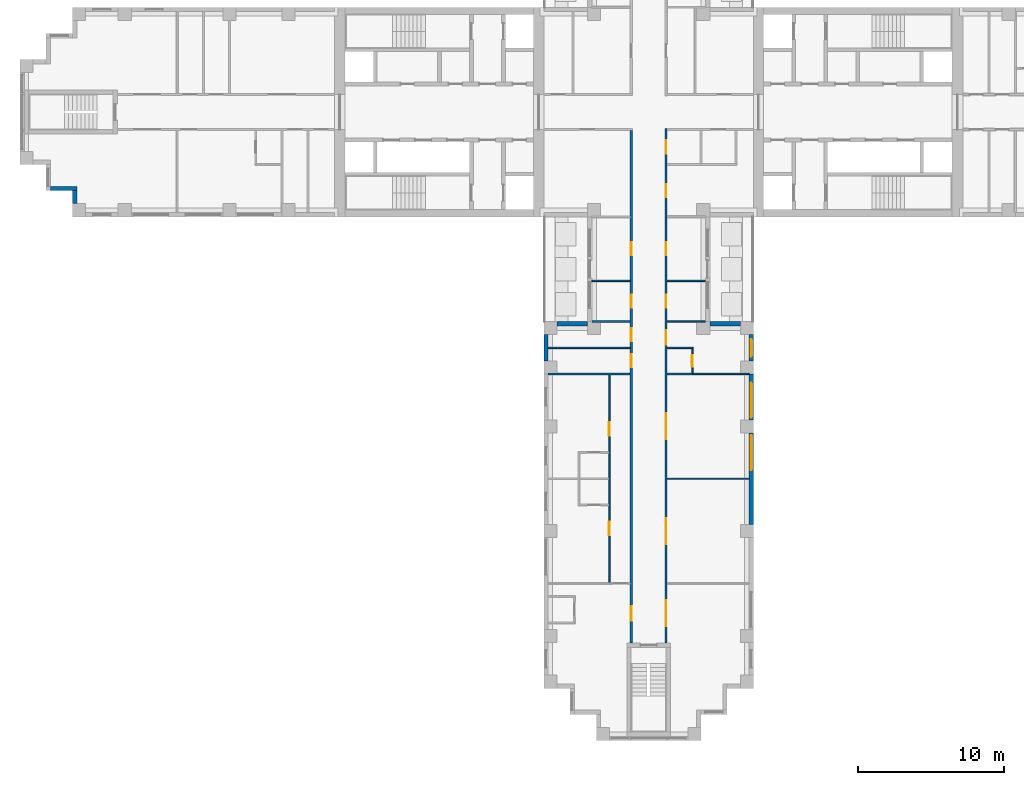
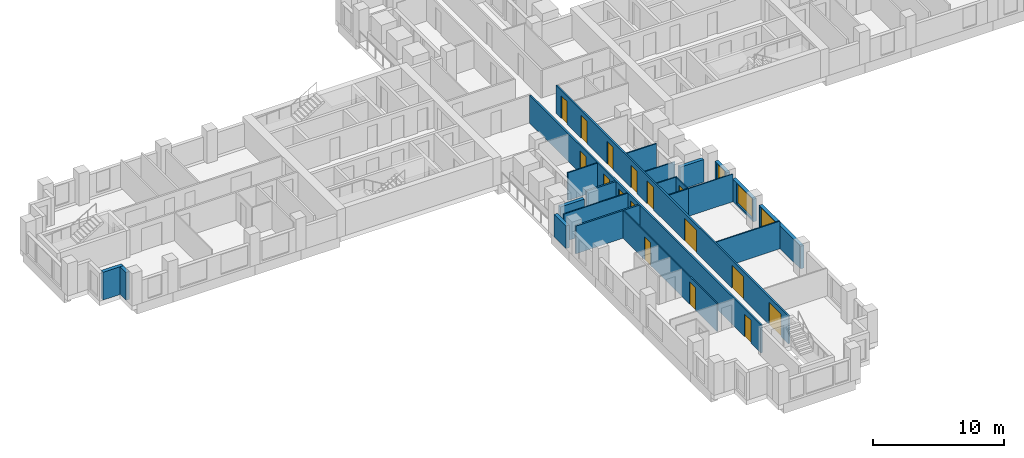
# One storey, part 4 of 13: 22 walls, 16 doors, 3 windows, 19 openings.
"""IFC4 building model written with IfcOpenShell, lengths in metres."""

from ifc_helpers import new_model, si_unit, direction, frame, frame_2d, origin, place, context, subcontext, project, spatial, rectangle, extrude, material, layer, layer_set, type_object, element, fill, save


model = new_model("IFC4")

# Units and contexts
model_context = context("Model", 3, precision=1e-05, world=origin(), true_north=direction((0.0, 1.0)))
body_context = subcontext(model_context, "Body", "Model", "MODEL_VIEW")
ifc_project = project(units=[si_unit("LENGTHUNIT", "METRE"), si_unit("AREAUNIT", "SQUARE_METRE"), si_unit("VOLUMEUNIT", "CUBIC_METRE"), si_unit("PLANEANGLEUNIT", "RADIAN"), si_unit("MASSUNIT", "GRAM", prefix="KILO")], contexts=[model_context])

# Site, building, storey
site_placement = place(None, origin())
site = spatial("IfcSite", under=ifc_project, at=site_placement, CompositionType="ELEMENT")
building_placement = place(site_placement, origin())
building = spatial("IfcBuilding", under=site, at=building_placement, Name="Fustian Cross Tower", CompositionType="ELEMENT")
storey_placement = place(building_placement, frame((0.0, 0.0, 75.89990234375)))
storey = spatial("IfcBuildingStorey", under=building, at=storey_placement, Name="L23", CompositionType="ELEMENT", Elevation=75.89990234375)

# Walls
ifc_material_1 = material(Name="Plasterboard on steel stud", Category="steel")
ifc_layer_1 = layer(ifc_material_1, 0.14990234375)
ifc_layer_set_1 = layer_set([ifc_layer_1], Name="Plasterboard on steel stud")
wall_type_1 = type_object("IfcWallType", Name="COMPARTMENT WALL 150 EI 60", PredefinedType="PARTITIONING", material=ifc_layer_set_1)
wall_1_placement = place(storey_placement, frame((-6.89990234375, -18.0, 0.0), z_axis=(0.0, 0.0, 1.0), x_axis=(1.0, 0.0, 0.0)))
element("IfcWall", 1, at=wall_1_placement, inside=storey, type_object=wall_type_1, Name="Partition 17", PredefinedType="PARTITIONING", context=body_context, shape_type="SweptSolid", body=[
    extrude(rectangle(XDim=5.625, YDim=0.14990234375, at=frame_2d((2.8125, 0.0))), origin(), (0.0, 0.0, 1.0), 2.5751953125),
])
wall_2_placement = place(storey_placement, frame((-3.89990234375, -14.39990234375, 0.0), z_axis=(0.0, 0.0, 1.0), x_axis=(1.0, 0.0, 0.0)))
element("IfcWall", 2, at=wall_2_placement, inside=storey, type_object=wall_type_1, Name="Partition 25", PredefinedType="PARTITIONING", context=body_context, shape_type="SweptSolid", body=[
    extrude(rectangle(XDim=2.625, YDim=0.14990234375, at=frame_2d((1.3125, 0.0))), origin(), (0.0, 0.0, 1.0), 2.5751953125),
])

# Wall, openings, doors
wall_3_placement = place(storey_placement, frame((-1.199951171875, -36.5, 0.0), z_axis=(0.0, 0.0, 1.0), x_axis=(0.0, 1.0, 0.0)))
wall_3 = element("IfcWall", 3, at=wall_3_placement, inside=storey, type_object=wall_type_1, Name="Partition 34", PredefinedType="PARTITIONING", context=body_context, shape_type="SweptSolid", body=[
    extrude(rectangle(XDim=35.22509765625, YDim=0.14990234375, at=frame_2d((17.612548828125, 0.0))), origin(), (0.0, 0.0, 1.0), 2.5751953125),
])
opening_1_placement = place(wall_3_placement, frame((23.050048828125, 0.0, 0.0)))
opening_1 = element("IfcOpeningElement", 4, at=opening_1_placement, cuts=wall_3, Name="Opening D12044", PredefinedType="OPENING", context=body_context, shape_type="SweptSolid", body=[
    extrude(rectangle(XDim=0.89990234375, YDim=2.10009765625, at=frame_2d((0.449951171875, 1.050048828125))), frame((0.0, 0.0849609375, 0.0), z_axis=(0.0, -1.0, 0.0), x_axis=(1.0, 0.0, 0.0)), (0.0, 0.0, 1.0), 0.169921875),
])
opening_2_placement = place(wall_3_placement, frame((26.64990234375, 0.0, 0.0)))
opening_2 = element("IfcOpeningElement", 5, at=opening_2_placement, cuts=wall_3, Name="Opening D12045", PredefinedType="OPENING", context=body_context, shape_type="SweptSolid", body=[
    extrude(rectangle(XDim=0.89990234375, YDim=2.10009765625, at=frame_2d((0.449951171875, 1.050048828125))), frame((0.0, 0.0849609375, 0.0), z_axis=(0.0, -1.0, 0.0), x_axis=(1.0, 0.0, 0.0)), (0.0, 0.0, 1.0), 0.169921875),
])
opening_3_placement = place(wall_3_placement, frame((20.75, 0.0, 0.0)))
opening_3 = element("IfcOpeningElement", 6, at=opening_3_placement, cuts=wall_3, Name="Opening D12046", PredefinedType="OPENING", context=body_context, shape_type="SweptSolid", body=[
    extrude(rectangle(XDim=0.89990234375, YDim=2.10009765625, at=frame_2d((0.449951171875, 1.050048828125))), frame((0.0, 0.0849609375, 0.0), z_axis=(0.0, -1.0, 0.0), x_axis=(1.0, 0.0, 0.0)), (0.0, 0.0, 1.0), 0.169921875),
])
opening_4_placement = place(wall_3_placement, frame((18.949951171875, 0.0, 0.0)))
opening_4 = element("IfcOpeningElement", 7, at=opening_4_placement, cuts=wall_3, Name="Opening D12047", PredefinedType="OPENING", context=body_context, shape_type="SweptSolid", body=[
    extrude(rectangle(XDim=0.89990234375, YDim=2.10009765625, at=frame_2d((0.449951171875, 1.050048828125))), frame((0.0, 0.0849609375, 0.0), z_axis=(0.0, -1.0, 0.0), x_axis=(1.0, 0.0, 0.0)), (0.0, 0.0, 1.0), 0.169921875),
])
opening_5_placement = place(wall_3_placement, frame((1.550048828125, 0.0, 0.0)))
opening_5 = element("IfcOpeningElement", 8, at=opening_5_placement, cuts=wall_3, Name="Opening D12049", PredefinedType="OPENING", context=body_context, shape_type="SweptSolid", body=[
    extrude(rectangle(XDim=1.0, YDim=2.10009765625, at=frame_2d((0.5, 1.050048828125))), frame((0.0, 0.0849609375, 0.0), z_axis=(0.0, -1.0, 0.0), x_axis=(1.0, 0.0, 0.0)), (0.0, 0.0, 1.0), 0.169921875),
])
ifc_material_2 = material(Name="Timber fire door set", Category="wood")
door_type_1 = type_object("IfcDoorType", Name="FIRE SWING DOOR 1000 FD30S", OperationType="SINGLE_SWING_LEFT", PredefinedType="DOOR", material=ifc_material_2)
door_1_placement = place(opening_5_placement, origin())
door_1 = element("IfcDoor", 9, at=door_1_placement, inside=storey, type_object=door_type_1, Name="Door D12049", OperationType="SINGLE_SWING_RIGHT", OverallHeight=2.10009765625, OverallWidth=1.0, PredefinedType="DOOR", context=body_context, shape_type="SweptSolid", body=[
    extrude(rectangle(XDim=1.0, YDim=2.10009765625, at=frame_2d((0.5, 1.050048828125))), frame((0.0, 0.02490234375, 0.0), z_axis=(0.0, -1.0, 0.0), x_axis=(1.0, 0.0, 0.0)), (0.0, 0.0, 1.0), 0.050048828125),
])
fill(opening_5, door_1)
ifc_material_3 = material(Name="Timber fire door set", Category="wood")
door_type_2 = type_object("IfcDoorType", Name="FIRE SWING DOOR 900 FD30S", OperationType="SINGLE_SWING_LEFT", PredefinedType="DOOR", material=ifc_material_3)
door_2_placement = place(opening_1_placement, origin())
door_2 = element("IfcDoor", 10, at=door_2_placement, inside=storey, type_object=door_type_2, Name="Door D12044", OperationType="SINGLE_SWING_LEFT", OverallHeight=2.10009765625, OverallWidth=0.89990234375, PredefinedType="DOOR", context=body_context, shape_type="SweptSolid", body=[
    extrude(rectangle(XDim=0.89990234375, YDim=2.10009765625, at=frame_2d((0.449951171875, 1.050048828125))), frame((0.0, 0.02490234375, 0.0), z_axis=(0.0, -1.0, 0.0), x_axis=(1.0, 0.0, 0.0)), (0.0, 0.0, 1.0), 0.050048828125),
])
fill(opening_1, door_2)
door_3_placement = place(opening_2_placement, origin())
door_3 = element("IfcDoor", 11, at=door_3_placement, inside=storey, type_object=door_type_2, Name="Door D12045", OperationType="SINGLE_SWING_LEFT", OverallHeight=2.10009765625, OverallWidth=0.89990234375, PredefinedType="DOOR", context=body_context, shape_type="SweptSolid", body=[
    extrude(rectangle(XDim=0.89990234375, YDim=2.10009765625, at=frame_2d((0.449951171875, 1.050048828125))), frame((0.0, 0.02490234375, 0.0), z_axis=(0.0, -1.0, 0.0), x_axis=(1.0, 0.0, 0.0)), (0.0, 0.0, 1.0), 0.050048828125),
])
fill(opening_2, door_3)
door_4_placement = place(opening_3_placement, origin())
door_4 = element("IfcDoor", 12, at=door_4_placement, inside=storey, type_object=door_type_2, Name="Door D12046", OperationType="SINGLE_SWING_RIGHT", OverallHeight=2.10009765625, OverallWidth=0.89990234375, PredefinedType="DOOR", context=body_context, shape_type="SweptSolid", body=[
    extrude(rectangle(XDim=0.89990234375, YDim=2.10009765625, at=frame_2d((0.449951171875, 1.050048828125))), frame((0.0, 0.02490234375, 0.0), z_axis=(0.0, -1.0, 0.0), x_axis=(1.0, 0.0, 0.0)), (0.0, 0.0, 1.0), 0.050048828125),
])
fill(opening_3, door_4)
door_5_placement = place(opening_4_placement, origin())
door_5 = element("IfcDoor", 13, at=door_5_placement, inside=storey, type_object=door_type_2, Name="Door D12047", OperationType="SINGLE_SWING_RIGHT", OverallHeight=2.10009765625, OverallWidth=0.89990234375, PredefinedType="DOOR", context=body_context, shape_type="SweptSolid", body=[
    extrude(rectangle(XDim=0.89990234375, YDim=2.10009765625, at=frame_2d((0.449951171875, 1.050048828125))), frame((0.0, 0.02490234375, 0.0), z_axis=(0.0, -1.0, 0.0), x_axis=(1.0, 0.0, 0.0)), (0.0, 0.0, 1.0), 0.050048828125),
])
fill(opening_4, door_5)

wall_4_placement = place(storey_placement, frame((1.199951171875, -36.5, 0.0), z_axis=(0.0, 0.0, 1.0), x_axis=(0.0, 1.0, 0.0)))
wall_4 = element("IfcWall", 14, at=wall_4_placement, inside=storey, type_object=wall_type_1, Name="Partition 36", PredefinedType="PARTITIONING", context=body_context, shape_type="SweptSolid", body=[
    extrude(rectangle(XDim=35.375, YDim=0.14990234375, at=frame_2d((17.6875, 0.0))), origin(), (0.0, 0.0, 1.0), 2.5751953125),
])
opening_6_placement = place(wall_4_placement, frame((33.64990234375, 0.0, 0.0)))
opening_6 = element("IfcOpeningElement", 15, at=opening_6_placement, cuts=wall_4, Name="Opening D12005", PredefinedType="OPENING", context=body_context, shape_type="SweptSolid", body=[
    extrude(rectangle(XDim=0.89990234375, YDim=2.10009765625, at=frame_2d((0.449951171875, 1.050048828125))), frame((0.0, 0.0849609375, 0.0), z_axis=(0.0, -1.0, 0.0), x_axis=(1.0, 0.0, 0.0)), (0.0, 0.0, 1.0), 0.169921875),
])
opening_7_placement = place(wall_4_placement, frame((30.64990234375, 0.0, 0.0)))
opening_7 = element("IfcOpeningElement", 16, at=opening_7_placement, cuts=wall_4, Name="Opening D12007", PredefinedType="OPENING", context=body_context, shape_type="SweptSolid", body=[
    extrude(rectangle(XDim=0.89990234375, YDim=2.10009765625, at=frame_2d((0.449951171875, 1.050048828125))), frame((0.0, 0.0849609375, 0.0), z_axis=(0.0, -1.0, 0.0), x_axis=(1.0, 0.0, 0.0)), (0.0, 0.0, 1.0), 0.169921875),
])
opening_8_placement = place(wall_4_placement, frame((23.050048828125, 0.0, 0.0)))
opening_8 = element("IfcOpeningElement", 17, at=opening_8_placement, cuts=wall_4, Name="Opening D12037", PredefinedType="OPENING", context=body_context, shape_type="SweptSolid", body=[
    extrude(rectangle(XDim=0.89990234375, YDim=2.10009765625, at=frame_2d((0.449951171875, 1.050048828125))), frame((0.0, 0.0849609375, 0.0), z_axis=(0.0, -1.0, 0.0), x_axis=(1.0, 0.0, 0.0)), (0.0, 0.0, 1.0), 0.169921875),
])
opening_9_placement = place(wall_4_placement, frame((26.64990234375, 0.0, 0.0)))
opening_9 = element("IfcOpeningElement", 18, at=opening_9_placement, cuts=wall_4, Name="Opening D12038", PredefinedType="OPENING", context=body_context, shape_type="SweptSolid", body=[
    extrude(rectangle(XDim=0.89990234375, YDim=2.10009765625, at=frame_2d((0.449951171875, 1.050048828125))), frame((0.0, 0.0849609375, 0.0), z_axis=(0.0, -1.0, 0.0), x_axis=(1.0, 0.0, 0.0)), (0.0, 0.0, 1.0), 0.169921875),
])
opening_10_placement = place(wall_4_placement, frame((20.5, 0.0, 0.0)))
opening_10 = element("IfcOpeningElement", 19, at=opening_10_placement, cuts=wall_4, Name="Opening D12040", PredefinedType="OPENING", context=body_context, shape_type="SweptSolid", body=[
    extrude(rectangle(XDim=1.0, YDim=2.10009765625, at=frame_2d((0.5, 1.050048828125))), frame((0.0, 0.0849609375, 0.0), z_axis=(0.0, -1.0, 0.0), x_axis=(1.0, 0.0, 0.0)), (0.0, 0.0, 1.0), 0.169921875),
])
opening_11_placement = place(wall_4_placement, frame((14.0, 0.0, 0.0)))
opening_11 = element("IfcOpeningElement", 20, at=opening_11_placement, cuts=wall_4, Name="Opening D12041", PredefinedType="OPENING", context=body_context, shape_type="SweptSolid", body=[
    extrude(rectangle(XDim=1.800048828125, YDim=2.10009765625, at=frame_2d((0.89990234375, 1.050048828125))), frame((0.0, 0.0849609375, 0.0), z_axis=(0.0, -1.0, 0.0), x_axis=(1.0, 0.0, 0.0)), (0.0, 0.0, 1.0), 0.169921875),
])
opening_12_placement = place(wall_4_placement, frame((6.800048828125, 0.0, 0.0)))
opening_12 = element("IfcOpeningElement", 21, at=opening_12_placement, cuts=wall_4, Name="Opening D12042", PredefinedType="OPENING", context=body_context, shape_type="SweptSolid", body=[
    extrude(rectangle(XDim=1.800048828125, YDim=2.10009765625, at=frame_2d((0.89990234375, 1.050048828125))), frame((0.0, 0.0849609375, 0.0), z_axis=(0.0, -1.0, 0.0), x_axis=(1.0, 0.0, 0.0)), (0.0, 0.0, 1.0), 0.169921875),
])
opening_13_placement = place(wall_4_placement, frame((1.14990234375, 0.0, 0.0)))
opening_13 = element("IfcOpeningElement", 22, at=opening_13_placement, cuts=wall_4, Name="Opening D12043", PredefinedType="OPENING", context=body_context, shape_type="SweptSolid", body=[
    extrude(rectangle(XDim=1.800048828125, YDim=2.10009765625, at=frame_2d((0.89990234375, 1.050048828125))), frame((0.0, 0.0849609375, 0.0), z_axis=(0.0, -1.0, 0.0), x_axis=(1.0, 0.0, 0.0)), (0.0, 0.0, 1.0), 0.169921875),
])
ifc_material_4 = material(Name="Timber fire door set", Category="wood")
door_type_3 = type_object("IfcDoorType", Name="FIRE DOUBLE DOOR 1800 FD30S", OperationType="DOUBLE_DOOR_DOUBLE_SWING", PredefinedType="DOOR", material=ifc_material_4)
door_6_placement = place(opening_11_placement, origin())
door_6 = element("IfcDoor", 23, at=door_6_placement, inside=storey, type_object=door_type_3, Name="Door D12041", OperationType="DOUBLE_DOOR_DOUBLE_SWING", OverallHeight=2.10009765625, OverallWidth=1.800048828125, PredefinedType="DOOR", context=body_context, shape_type="SweptSolid", body=[
    extrude(rectangle(XDim=1.800048828125, YDim=2.10009765625, at=frame_2d((0.89990234375, 1.050048828125))), frame((0.0, 0.02490234375, 0.0), z_axis=(0.0, -1.0, 0.0), x_axis=(1.0, 0.0, 0.0)), (0.0, 0.0, 1.0), 0.050048828125),
])
fill(opening_11, door_6)
door_7_placement = place(opening_12_placement, origin())
door_7 = element("IfcDoor", 24, at=door_7_placement, inside=storey, type_object=door_type_3, Name="Door D12042", OperationType="DOUBLE_DOOR_DOUBLE_SWING", OverallHeight=2.10009765625, OverallWidth=1.800048828125, PredefinedType="DOOR", context=body_context, shape_type="SweptSolid", body=[
    extrude(rectangle(XDim=1.800048828125, YDim=2.10009765625, at=frame_2d((0.89990234375, 1.050048828125))), frame((0.0, 0.02490234375, 0.0), z_axis=(0.0, -1.0, 0.0), x_axis=(1.0, 0.0, 0.0)), (0.0, 0.0, 1.0), 0.050048828125),
])
fill(opening_12, door_7)
door_8_placement = place(opening_13_placement, origin())
door_8 = element("IfcDoor", 25, at=door_8_placement, inside=storey, type_object=door_type_3, Name="Door D12043", OperationType="DOUBLE_DOOR_DOUBLE_SWING", OverallHeight=2.10009765625, OverallWidth=1.800048828125, PredefinedType="DOOR", context=body_context, shape_type="SweptSolid", body=[
    extrude(rectangle(XDim=1.800048828125, YDim=2.10009765625, at=frame_2d((0.89990234375, 1.050048828125))), frame((0.0, 0.02490234375, 0.0), z_axis=(0.0, -1.0, 0.0), x_axis=(1.0, 0.0, 0.0)), (0.0, 0.0, 1.0), 0.050048828125),
])
fill(opening_13, door_8)
door_9_placement = place(opening_10_placement, frame((1.0, 0.0, 0.0), z_axis=(0.0, 0.0, 1.0), x_axis=(-1.0, 0.0, 0.0)))
door_9 = element("IfcDoor", 26, at=door_9_placement, inside=storey, type_object=door_type_1, Name="Door D12040", OperationType="SINGLE_SWING_RIGHT", OverallHeight=2.10009765625, OverallWidth=1.0, PredefinedType="DOOR", context=body_context, shape_type="SweptSolid", body=[
    extrude(rectangle(XDim=1.0, YDim=2.10009765625, at=frame_2d((0.5, 1.050048828125))), frame((0.0, 0.02490234375, 0.0), z_axis=(0.0, -1.0, 0.0), x_axis=(1.0, 0.0, 0.0)), (0.0, 0.0, 1.0), 0.050048828125),
])
fill(opening_10, door_9)
door_10_placement = place(opening_6_placement, frame((0.89990234375, 0.0, 0.0), z_axis=(0.0, 0.0, 1.0), x_axis=(-1.0, 0.0, 0.0)))
door_10 = element("IfcDoor", 27, at=door_10_placement, inside=storey, type_object=door_type_2, Name="Door D12005", OperationType="SINGLE_SWING_RIGHT", OverallHeight=2.10009765625, OverallWidth=0.89990234375, PredefinedType="DOOR", context=body_context, shape_type="SweptSolid", body=[
    extrude(rectangle(XDim=0.89990234375, YDim=2.10009765625, at=frame_2d((0.449951171875, 1.050048828125))), frame((0.0, 0.02490234375, 0.0), z_axis=(0.0, -1.0, 0.0), x_axis=(1.0, 0.0, 0.0)), (0.0, 0.0, 1.0), 0.050048828125),
])
fill(opening_6, door_10)
door_11_placement = place(opening_7_placement, frame((0.89990234375, 0.0, 0.0), z_axis=(0.0, 0.0, 1.0), x_axis=(-1.0, 0.0, 0.0)))
door_11 = element("IfcDoor", 28, at=door_11_placement, inside=storey, type_object=door_type_2, Name="Door D12007", OperationType="SINGLE_SWING_RIGHT", OverallHeight=2.10009765625, OverallWidth=0.89990234375, PredefinedType="DOOR", context=body_context, shape_type="SweptSolid", body=[
    extrude(rectangle(XDim=0.89990234375, YDim=2.10009765625, at=frame_2d((0.449951171875, 1.050048828125))), frame((0.0, 0.02490234375, 0.0), z_axis=(0.0, -1.0, 0.0), x_axis=(1.0, 0.0, 0.0)), (0.0, 0.0, 1.0), 0.050048828125),
])
fill(opening_7, door_11)
door_12_placement = place(opening_8_placement, frame((0.89990234375, 0.0, 0.0), z_axis=(0.0, 0.0, 1.0), x_axis=(-1.0, 0.0, 0.0)))
door_12 = element("IfcDoor", 29, at=door_12_placement, inside=storey, type_object=door_type_2, Name="Door D12037", OperationType="SINGLE_SWING_RIGHT", OverallHeight=2.10009765625, OverallWidth=0.89990234375, PredefinedType="DOOR", context=body_context, shape_type="SweptSolid", body=[
    extrude(rectangle(XDim=0.89990234375, YDim=2.10009765625, at=frame_2d((0.449951171875, 1.050048828125))), frame((0.0, 0.02490234375, 0.0), z_axis=(0.0, -1.0, 0.0), x_axis=(1.0, 0.0, 0.0)), (0.0, 0.0, 1.0), 0.050048828125),
])
fill(opening_8, door_12)
door_13_placement = place(opening_9_placement, frame((0.89990234375, 0.0, 0.0), z_axis=(0.0, 0.0, 1.0), x_axis=(-1.0, 0.0, 0.0)))
door_13 = element("IfcDoor", 30, at=door_13_placement, inside=storey, type_object=door_type_2, Name="Door D12038", OperationType="SINGLE_SWING_RIGHT", OverallHeight=2.10009765625, OverallWidth=0.89990234375, PredefinedType="DOOR", context=body_context, shape_type="SweptSolid", body=[
    extrude(rectangle(XDim=0.89990234375, YDim=2.10009765625, at=frame_2d((0.449951171875, 1.050048828125))), frame((0.0, 0.02490234375, 0.0), z_axis=(0.0, -1.0, 0.0), x_axis=(1.0, 0.0, 0.0)), (0.0, 0.0, 1.0), 0.050048828125),
])
fill(opening_9, door_13)

# Walls
ifc_material_5 = material(Name="Plasterboard on steel stud", Category="steel")
ifc_layer_2 = layer(ifc_material_5, 0.10009765625)
ifc_layer_set_2 = layer_set([ifc_layer_2], Name="Plasterboard on steel stud")
wall_type_2 = type_object("IfcWallType", Name="PARTITION 100 STUD", PredefinedType="PARTITIONING", material=ifc_layer_set_2)
wall_5_placement = place(storey_placement, frame((-6.89990234375, -16.199951171875, 0.0), z_axis=(0.0, 0.0, 1.0), x_axis=(1.0, 0.0, 0.0)))
element("IfcWall", 31, at=wall_5_placement, inside=storey, type_object=wall_type_2, Name="Partition 18", PredefinedType="PARTITIONING", context=body_context, shape_type="SweptSolid", body=[
    extrude(rectangle(XDim=5.625, YDim=0.10009765625, at=frame_2d((2.8125, 0.0))), origin(), (0.0, 0.0, 1.0), 2.5751953125),
])
wall_6_placement = place(storey_placement, frame((-3.89990234375, -11.60009765625, 0.0), z_axis=(0.0, 0.0, 1.0), x_axis=(1.0, 0.0, 0.0)))
element("IfcWall", 32, at=wall_6_placement, inside=storey, type_object=wall_type_2, Name="Partition 26", PredefinedType="PARTITIONING", context=body_context, shape_type="SweptSolid", body=[
    extrude(rectangle(XDim=2.625, YDim=0.10009765625, at=frame_2d((1.3125, 0.0))), origin(), (0.0, 0.0, 1.0), 2.5751953125),
])

# Wall, openings, doors
wall_7_placement = place(storey_placement, frame((-2.699951171875, -32.35009765625, 0.0), z_axis=(0.0, 0.0, 1.0), x_axis=(0.0, 1.0, 0.0)))
wall_7 = element("IfcWall", 33, at=wall_7_placement, inside=storey, type_object=wall_type_2, Name="Partition 33", PredefinedType="PARTITIONING", context=body_context, shape_type="SweptSolid", body=[
    extrude(rectangle(XDim=14.275146484375, YDim=0.10009765625, at=frame_2d((7.1376953125, 0.0))), origin(), (0.0, 0.0, 1.0), 2.5751953125),
])
opening_14_placement = place(wall_7_placement, frame((3.280029296875, 0.0, 0.0)))
opening_14 = element("IfcOpeningElement", 34, at=opening_14_placement, cuts=wall_7, Name="Opening D12050", PredefinedType="OPENING", context=body_context, shape_type="SweptSolid", body=[
    extrude(rectangle(XDim=0.89990234375, YDim=2.10009765625, at=frame_2d((0.449951171875, 1.050048828125))), frame((0.0, 0.06005859375, 0.0), z_axis=(0.0, -1.0, 0.0), x_axis=(1.0, 0.0, 0.0)), (0.0, 0.0, 1.0), 0.1201171875),
])
opening_15_placement = place(wall_7_placement, frame((10.119873046875, 0.0, 0.0)))
opening_15 = element("IfcOpeningElement", 35, at=opening_15_placement, cuts=wall_7, Name="Opening D12051", PredefinedType="OPENING", context=body_context, shape_type="SweptSolid", body=[
    extrude(rectangle(XDim=0.89990234375, YDim=2.10009765625, at=frame_2d((0.449951171875, 1.050048828125))), frame((0.0, 0.06005859375, 0.0), z_axis=(0.0, -1.0, 0.0), x_axis=(1.0, 0.0, 0.0)), (0.0, 0.0, 1.0), 0.1201171875),
])
ifc_material_6 = material(Name="Painted timber", Category="wood")
door_type_4 = type_object("IfcDoorType", Name="SWING DOOR 900", OperationType="SINGLE_SWING_LEFT", PredefinedType="DOOR", material=ifc_material_6)
door_14_placement = place(opening_14_placement, frame((0.89990234375, 0.0, 0.0), z_axis=(0.0, 0.0, 1.0), x_axis=(-1.0, 0.0, 0.0)))
door_14 = element("IfcDoor", 36, at=door_14_placement, inside=storey, type_object=door_type_4, Name="Door D12050", OperationType="SINGLE_SWING_RIGHT", OverallHeight=2.10009765625, OverallWidth=0.89990234375, PredefinedType="DOOR", context=body_context, shape_type="SweptSolid", body=[
    extrude(rectangle(XDim=0.89990234375, YDim=2.10009765625, at=frame_2d((0.449951171875, 1.050048828125))), frame((0.0, 0.02490234375, 0.0), z_axis=(0.0, -1.0, 0.0), x_axis=(1.0, 0.0, 0.0)), (0.0, 0.0, 1.0), 0.050048828125),
])
fill(opening_14, door_14)
door_15_placement = place(opening_15_placement, frame((0.89990234375, 0.0, 0.0), z_axis=(0.0, 0.0, 1.0), x_axis=(-1.0, 0.0, 0.0)))
door_15 = element("IfcDoor", 37, at=door_15_placement, inside=storey, type_object=door_type_4, Name="Door D12051", OperationType="SINGLE_SWING_LEFT", OverallHeight=2.10009765625, OverallWidth=0.89990234375, PredefinedType="DOOR", context=body_context, shape_type="SweptSolid", body=[
    extrude(rectangle(XDim=0.89990234375, YDim=2.10009765625, at=frame_2d((0.449951171875, 1.050048828125))), frame((0.0, 0.02490234375, 0.0), z_axis=(0.0, -1.0, 0.0), x_axis=(1.0, 0.0, 0.0)), (0.0, 0.0, 1.0), 0.050048828125),
])
fill(opening_15, door_15)

# Walls
wall_8_placement = place(storey_placement, frame((1.27490234375, -25.199951171875, 0.0), z_axis=(0.0, 0.0, 1.0), x_axis=(1.0, 0.0, 0.0)))
element("IfcWall", 38, at=wall_8_placement, inside=storey, type_object=wall_type_2, Name="Partition 38", PredefinedType="PARTITIONING", context=body_context, shape_type="SweptSolid", body=[
    extrude(rectangle(XDim=5.625, YDim=0.10009765625, at=frame_2d((2.8125, 0.0))), origin(), (0.0, 0.0, 1.0), 2.5751953125),
])
wall_9_placement = place(storey_placement, frame((1.27490234375, -16.199951171875, 0.0), z_axis=(0.0, 0.0, 1.0), x_axis=(1.0, 0.0, 0.0)))
element("IfcWall", 39, at=wall_9_placement, inside=storey, type_object=wall_type_2, Name="Partition 40", PredefinedType="PARTITIONING", context=body_context, shape_type="SweptSolid", body=[
    extrude(rectangle(XDim=1.775146484375, YDim=0.10009765625, at=frame_2d((0.8876953125, 0.0))), origin(), (0.0, 0.0, 1.0), 2.5751953125),
])
for number, where, z_axis, x_axis, name in (
    (40, (1.27490234375, -14.39990234375, 0.0), (0.0, 0.0, 1.0), (1.0, 0.0, 0.0), "Partition 41"),
    (41, (1.27490234375, -11.60009765625, 0.0), (0.0, 0.0, 1.0), (1.0, 0.0, 0.0), "Partition 42"),
):
    element("IfcWall", number, at=place(storey_placement, frame(where, z_axis=z_axis, x_axis=x_axis)), inside=storey, type_object=wall_type_2, Name=name, PredefinedType="PARTITIONING", context=body_context, shape_type="SweptSolid", body=[
        extrude(rectangle(XDim=2.625, YDim=0.10009765625, at=frame_2d((1.3125, 0.0))), origin(), (0.0, 0.0, 1.0), 2.5751953125),
    ])

# Wall, opening, door
wall_10_placement = place(storey_placement, frame((3.0, -17.9375, 0.0), z_axis=(0.0, 0.0, 1.0), x_axis=(0.0, 1.0, 0.0)))
wall_10 = element("IfcWall", 42, at=wall_10_placement, inside=storey, type_object=wall_type_2, Name="Partition 50", PredefinedType="PARTITIONING", context=body_context, shape_type="SweptSolid", body=[
    extrude(rectangle(XDim=1.6875, YDim=0.10009765625, at=frame_2d((0.84375, 0.0))), origin(), (0.0, 0.0, 1.0), 2.5751953125),
])
opening_16_placement = place(wall_10_placement, frame((0.4375, 0.0, 0.0)))
opening_16 = element("IfcOpeningElement", 43, at=opening_16_placement, cuts=wall_10, Name="Opening D12039", PredefinedType="OPENING", context=body_context, shape_type="SweptSolid", body=[
    extrude(rectangle(XDim=0.800048828125, YDim=2.10009765625, at=frame_2d((0.39990234375, 1.050048828125))), frame((0.0, 0.06005859375, 0.0), z_axis=(0.0, -1.0, 0.0), x_axis=(1.0, 0.0, 0.0)), (0.0, 0.0, 1.0), 0.1201171875),
])
ifc_material_7 = material(Name="Painted timber", Category="wood")
door_type_5 = type_object("IfcDoorType", Name="SWING DOOR 800", OperationType="SINGLE_SWING_LEFT", PredefinedType="DOOR", material=ifc_material_7)
door_16_placement = place(opening_16_placement, origin())
door_16 = element("IfcDoor", 44, at=door_16_placement, inside=storey, type_object=door_type_5, Name="Door D12039", OperationType="SINGLE_SWING_RIGHT", OverallHeight=2.10009765625, OverallWidth=0.800048828125, PredefinedType="DOOR", context=body_context, shape_type="SweptSolid", body=[
    extrude(rectangle(XDim=0.800048828125, YDim=2.10009765625, at=frame_2d((0.39990234375, 1.050048828125))), frame((0.0, 0.02490234375, 0.0), z_axis=(0.0, -1.0, 0.0), x_axis=(1.0, 0.0, 0.0)), (0.0, 0.0, 1.0), 0.050048828125),
])
fill(opening_16, door_16)

# Walls
wall_11_placement = place(storey_placement, frame((3.0, -18.0, 0.0), z_axis=(0.0, 0.0, 1.0), x_axis=(1.0, 0.0, 0.0)))
element("IfcWall", 45, at=wall_11_placement, inside=storey, type_object=wall_type_2, Name="Partition 51", PredefinedType="PARTITIONING", context=body_context, shape_type="SweptSolid", body=[
    extrude(rectangle(XDim=3.89990234375, YDim=0.10009765625, at=frame_2d((1.949951171875, 0.0))), origin(), (0.0, 0.0, 1.0), 2.5751953125),
])
ifc_material_8 = material(Name="Plasterboard on steel stud", Category="steel")
ifc_layer_3 = layer(ifc_material_8, 0.125)
ifc_layer_set_3 = layer_set([ifc_layer_3], Name="Plasterboard on steel stud")
wall_type_3 = type_object("IfcWallType", Name="WET WALL 125 STUD", PredefinedType="PARTITIONING", material=ifc_layer_set_3)
wall_12_placement = place(storey_placement, frame((1.27490234375, -18.0, 0.0), z_axis=(0.0, 0.0, 1.0), x_axis=(1.0, 0.0, 0.0)))
element("IfcWall", 46, at=wall_12_placement, inside=storey, type_object=wall_type_3, Name="Partition 39", PredefinedType="PARTITIONING", context=body_context, shape_type="SweptSolid", body=[
    extrude(rectangle(XDim=1.72509765625, YDim=0.125, at=frame_2d((0.862548828125, 0.0))), origin(), (0.0, 0.0, 1.0), 2.5751953125),
])
ifc_material_9 = material(Name="Dark aluminium cladding on insulated backing wall", Category="aluminium")
ifc_layer_4 = layer(ifc_material_9, 0.300048828125)
ifc_layer_set_4 = layer_set([ifc_layer_4], Name="Dark aluminium cladding on insulated backing wall")
wall_type_4 = type_object("IfcWallType", Name="XW1 EXTERNAL WALL 300", PredefinedType="SOLIDWALL", material=ifc_layer_set_4)
wall_13_placement = place(storey_placement, frame((-41.10009765625, -5.25, 0.0), z_axis=(0.0, 0.0, 1.0), x_axis=(1.0, 0.0, 0.0)))
element("IfcWall", 47, at=wall_13_placement, inside=storey, type_object=wall_type_4, Name="External wall", PredefinedType="SOLIDWALL", context=body_context, shape_type="SweptSolid", body=[
    extrude(rectangle(XDim=1.800048828125, YDim=0.300048828125, at=frame_2d((0.89990234375, 0.0))), origin(), (0.0, 0.0, 1.0), 2.5751953125),
])
wall_14_placement = place(storey_placement, frame((-39.449951171875, -5.39990234375, 0.0), z_axis=(0.0, 0.0, 1.0), x_axis=(0.0, -1.0, 0.0)))
element("IfcWall", 48, at=wall_14_placement, inside=storey, type_object=wall_type_4, Name="External wall", PredefinedType="SOLIDWALL", context=body_context, shape_type="SweptSolid", body=[
    extrude(rectangle(XDim=0.900146484375, YDim=0.300048828125, at=frame_2d((0.4501953125, 0.0))), origin(), (0.0, 0.0, 1.0), 2.5751953125),
])
wall_15_placement = place(storey_placement, frame((-4.199951171875, -14.550048828125, 0.0), z_axis=(0.0, 0.0, 1.0), x_axis=(-1.0, 0.0, 0.0)))
element("IfcWall", 49, at=wall_15_placement, inside=storey, type_object=wall_type_4, Name="External wall", PredefinedType="SOLIDWALL", context=body_context, shape_type="SweptSolid", body=[
    extrude(rectangle(XDim=2.10009765625, YDim=0.300048828125, at=frame_2d((1.050048828125, 0.0))), origin(), (0.0, 0.0, 1.0), 2.10009765625),
])
wall_16_placement = place(storey_placement, frame((-7.050048828125, -15.300048828125, 0.0), z_axis=(0.0, 0.0, 1.0), x_axis=(0.0, -1.0, 0.0)))
element("IfcWall", 50, at=wall_16_placement, inside=storey, type_object=wall_type_4, Name="External wall", PredefinedType="SOLIDWALL", context=body_context, shape_type="SweptSolid", body=[
    extrude(rectangle(XDim=1.800048828125, YDim=0.300048828125, at=frame_2d((0.89990234375, 0.0))), origin(), (0.0, 0.0, 1.0), 2.10009765625),
])

# Wall, opening, window
wall_17_placement = place(storey_placement, frame((7.050048828125, -28.35009765625, 0.0), z_axis=(0.0, 0.0, 1.0), x_axis=(0.0, 1.0, 0.0)))
wall_17 = element("IfcWall", 51, at=wall_17_placement, inside=storey, type_object=wall_type_4, Name="External wall", PredefinedType="SOLIDWALL", context=body_context, shape_type="SweptSolid", body=[
    extrude(rectangle(XDim=6.300048828125, YDim=0.300048828125, at=frame_2d((3.14990234375, 0.0))), origin(), (0.0, 0.0, 1.0), 2.10009765625),
])
opening_17_placement = place(wall_17_placement, frame((3.75, 0.0, 0.199951171875)))
opening_17 = element("IfcOpeningElement", 52, at=opening_17_placement, cuts=wall_17, Name="Opening WN1", PredefinedType="OPENING", context=body_context, shape_type="SweptSolid", body=[
    extrude(rectangle(XDim=2.39990234375, YDim=1.85009765625, at=frame_2d((1.199951171875, 0.925048828125))), frame((0.0, 0.159912109375, 0.0), z_axis=(0.0, -1.0, 0.0), x_axis=(1.0, 0.0, 0.0)), (0.0, 0.0, 1.0), 0.320068359375),
])
ifc_material_10 = material(Name="Dark anodised aluminium and double glazing", Category="aluminium")
window_type_1 = type_object("IfcWindowType", Name="WN1 WINDOW 2400X1850", PartitioningType="SINGLE_PANEL", PredefinedType="WINDOW", material=ifc_material_10)
window_1_placement = place(opening_17_placement, origin())
window_1 = element("IfcWindow", 53, at=window_1_placement, inside=storey, type_object=window_type_1, Name="Window", OverallHeight=1.85009765625, OverallWidth=2.39990234375, PartitioningType="SINGLE_PANEL", PredefinedType="WINDOW", context=body_context, shape_type="SweptSolid", body=[
    extrude(rectangle(XDim=2.39990234375, YDim=1.85009765625, at=frame_2d((1.199951171875, 0.925048828125))), frame((0.0, 0.030029296875, 0.0), z_axis=(0.0, -1.0, 0.0), x_axis=(1.0, 0.0, 0.0)), (0.0, 0.0, 1.0), 0.06005859375),
])
fill(opening_17, window_1)

wall_18_placement = place(storey_placement, frame((7.050048828125, -21.14990234375, 0.0), z_axis=(0.0, 0.0, 1.0), x_axis=(0.0, 1.0, 0.0)))
wall_18 = element("IfcWall", 54, at=wall_18_placement, inside=storey, type_object=wall_type_4, Name="External wall", PredefinedType="SOLIDWALL", context=body_context, shape_type="SweptSolid", body=[
    extrude(rectangle(XDim=3.14990234375, YDim=0.300048828125, at=frame_2d((1.574951171875, 0.0))), origin(), (0.0, 0.0, 1.0), 2.10009765625),
])
opening_18_placement = place(wall_18_placement, frame((0.14990234375, 0.0, 0.199951171875)))
opening_18 = element("IfcOpeningElement", 55, at=opening_18_placement, cuts=wall_18, Name="Opening WN1", PredefinedType="OPENING", context=body_context, shape_type="SweptSolid", body=[
    extrude(rectangle(XDim=2.39990234375, YDim=1.85009765625, at=frame_2d((1.199951171875, 0.925048828125))), frame((0.0, 0.159912109375, 0.0), z_axis=(0.0, -1.0, 0.0), x_axis=(1.0, 0.0, 0.0)), (0.0, 0.0, 1.0), 0.320068359375),
])
window_2_placement = place(opening_18_placement, origin())
window_2 = element("IfcWindow", 56, at=window_2_placement, inside=storey, type_object=window_type_1, Name="Window", OverallHeight=1.85009765625, OverallWidth=2.39990234375, PartitioningType="SINGLE_PANEL", PredefinedType="WINDOW", context=body_context, shape_type="SweptSolid", body=[
    extrude(rectangle(XDim=2.39990234375, YDim=1.85009765625, at=frame_2d((1.199951171875, 0.925048828125))), frame((0.0, 0.030029296875, 0.0), z_axis=(0.0, -1.0, 0.0), x_axis=(1.0, 0.0, 0.0)), (0.0, 0.0, 1.0), 0.06005859375),
])
fill(opening_18, window_2)

wall_19_placement = place(storey_placement, frame((7.050048828125, -17.10009765625, 0.0), z_axis=(0.0, 0.0, 1.0), x_axis=(0.0, 1.0, 0.0)))
wall_19 = element("IfcWall", 57, at=wall_19_placement, inside=storey, type_object=wall_type_4, Name="External wall", PredefinedType="SOLIDWALL", context=body_context, shape_type="SweptSolid", body=[
    extrude(rectangle(XDim=1.800048828125, YDim=0.300048828125, at=frame_2d((0.89990234375, 0.0))), origin(), (0.0, 0.0, 1.0), 2.10009765625),
])
opening_19_placement = place(wall_19_placement, frame((0.300048828125, 0.0, 0.199951171875)))
opening_19 = element("IfcOpeningElement", 58, at=opening_19_placement, cuts=wall_19, Name="Opening WN3", PredefinedType="OPENING", context=body_context, shape_type="SweptSolid", body=[
    extrude(rectangle(XDim=1.199951171875, YDim=1.85009765625, at=frame_2d((0.60009765625, 0.925048828125))), frame((0.0, 0.159912109375, 0.0), z_axis=(0.0, -1.0, 0.0), x_axis=(1.0, 0.0, 0.0)), (0.0, 0.0, 1.0), 0.320068359375),
])
ifc_material_11 = material(Name="Dark anodised aluminium and double glazing", Category="aluminium")
window_type_2 = type_object("IfcWindowType", Name="WN3 WINDOW 1200X1850", PartitioningType="SINGLE_PANEL", PredefinedType="WINDOW", material=ifc_material_11)
window_3_placement = place(opening_19_placement, origin())
window_3 = element("IfcWindow", 59, at=window_3_placement, inside=storey, type_object=window_type_2, Name="Window", OverallHeight=1.85009765625, OverallWidth=1.199951171875, PartitioningType="SINGLE_PANEL", PredefinedType="WINDOW", context=body_context, shape_type="SweptSolid", body=[
    extrude(rectangle(XDim=1.199951171875, YDim=1.85009765625, at=frame_2d((0.60009765625, 0.925048828125))), frame((0.0, 0.030029296875, 0.0), z_axis=(0.0, -1.0, 0.0), x_axis=(1.0, 0.0, 0.0)), (0.0, 0.0, 1.0), 0.06005859375),
])
fill(opening_19, window_3)

# Wall
wall_20_placement = place(storey_placement, frame((6.300048828125, -14.550048828125, 0.0), z_axis=(0.0, 0.0, 1.0), x_axis=(-1.0, 0.0, 0.0)))
element("IfcWall", 60, at=wall_20_placement, inside=storey, type_object=wall_type_4, Name="External wall", PredefinedType="SOLIDWALL", context=body_context, shape_type="SweptSolid", body=[
    extrude(rectangle(XDim=2.10009765625, YDim=0.300048828125, at=frame_2d((1.050048828125, 0.0))), origin(), (0.0, 0.0, 1.0), 2.10009765625),
])

save(model, "model.ifc")
